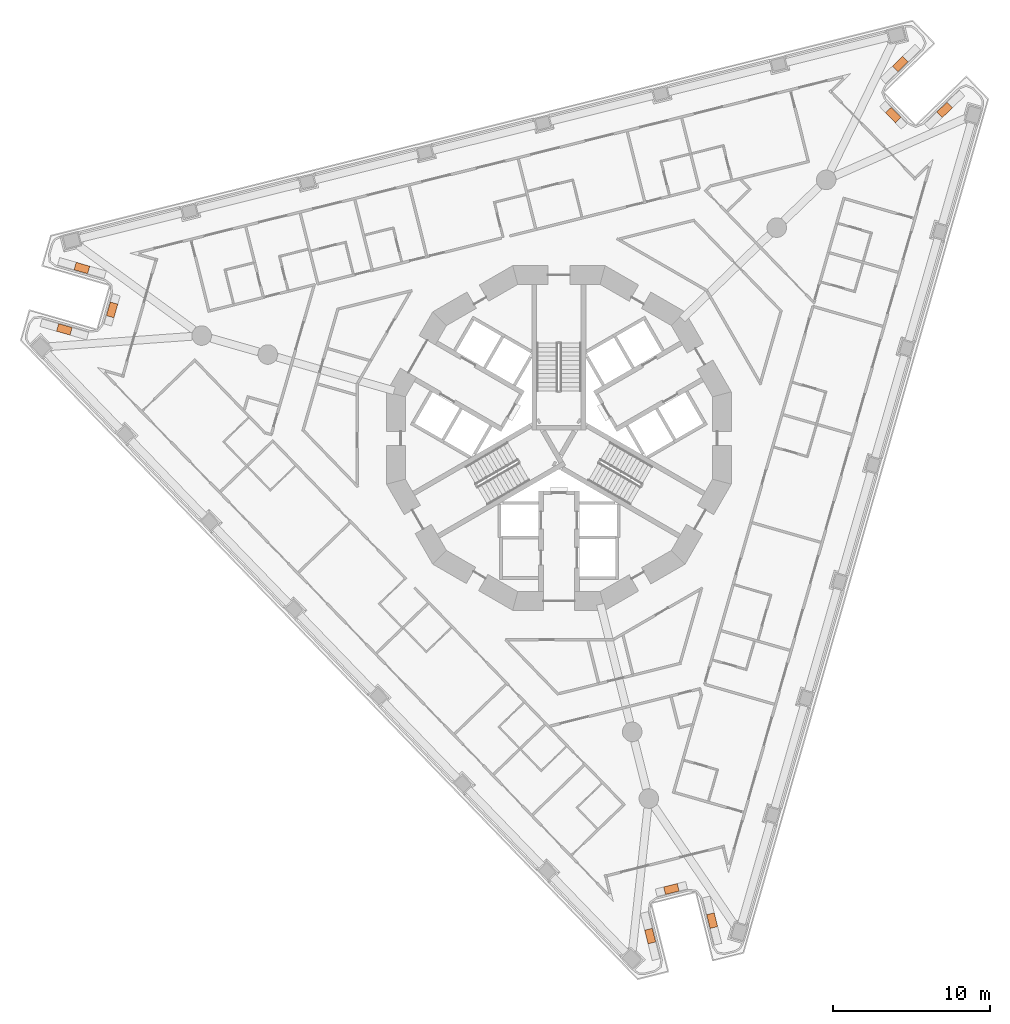
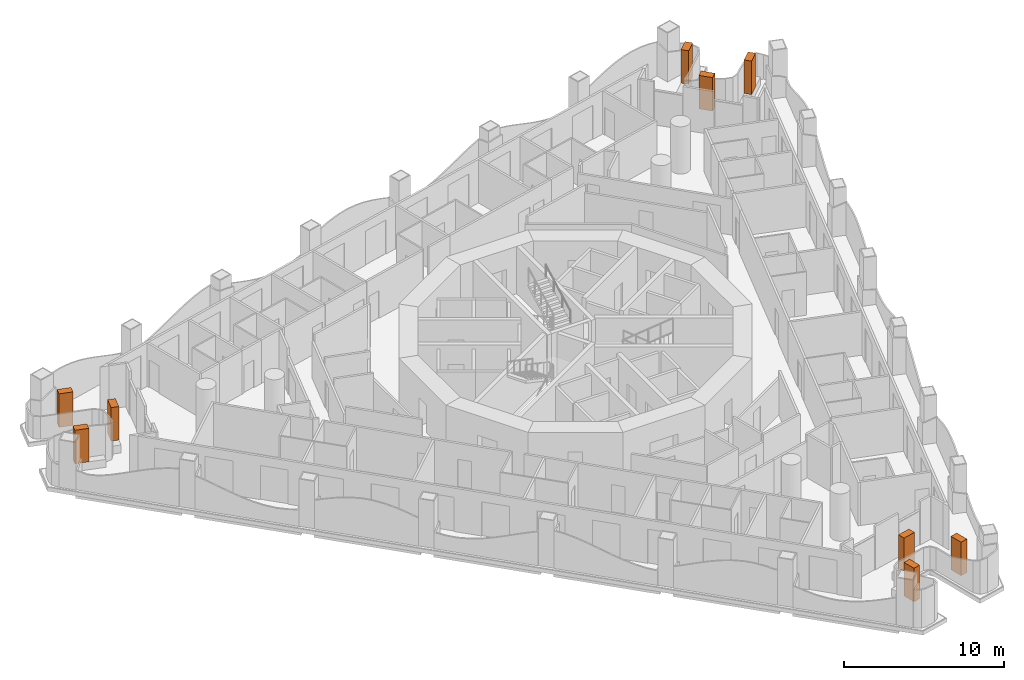
# One storey, part 18 of 18: 9 geographic elements.
"""IFC4 building model written with IfcOpenShell, lengths in metres."""

from ifc_helpers import new_model, si_unit, direction, frame, origin, origin_2d, place, context, subcontext, project, spatial, rectangle, extrude, element, save


model = new_model("IFC4")

# Units and contexts
model_context = context("Model", 3, precision=1e-05, world=origin(), true_north=direction((0.0, 1.0)))
body_context = subcontext(model_context, "Body", "Model", "MODEL_VIEW")
ifc_project = project(units=[si_unit("LENGTHUNIT", "METRE"), si_unit("AREAUNIT", "SQUARE_METRE"), si_unit("VOLUMEUNIT", "CUBIC_METRE"), si_unit("PLANEANGLEUNIT", "RADIAN"), si_unit("MASSUNIT", "GRAM", prefix="KILO")], contexts=[model_context])

# Site, building, storey
site_placement = place(None, origin())
site = spatial("IfcSite", under=ifc_project, at=site_placement, CompositionType="ELEMENT")
building_placement = place(site_placement, origin())
building = spatial("IfcBuilding", under=site, at=building_placement, Name="Trine Commons Tower", CompositionType="ELEMENT")
storey_placement = place(building_placement, frame((0.0, 0.0, 90.89990234375)))
storey = spatial("IfcBuildingStorey", under=building, at=storey_placement, Name="L22", CompositionType="ELEMENT", Elevation=90.89990234375)

# Geographic elements
for number, where, z_axis, x_axis, name in (
    (1, (48.400634765625, 69.438720703125, 0.60009765625), (0.0, 0.0, 1.0), (0.961260733777, -0.275640711252, 0.0), "Tree 1.1"),
    (2, (51.45263671875, 70.685791015625, 0.60009765625), (0.0, 0.0, 1.0), (0.275645744397, 0.961259290512, 0.0), "Tree 2.1"),
    (3, (49.525146484375, 73.360595703125, 0.60009765625), (0.0, 0.0, 1.0), (-0.961262658088, 0.275634000379, 0.0), "Tree 3.1"),
    (4, (101.808837890625, 86.396484375, 0.60009765625), (0.0, 0.0, 1.0), (-0.719332525854, -0.69466590333, 0.0), "Tree 4.1"),
    (5, (101.36279296875, 83.1298828125, 0.60009765625), (0.0, 0.0, 1.0), (0.694658370459, -0.719339800339, 0.0), "Tree 5.1"),
    (6, (104.64306640625, 83.461669921875, 0.60009765625), (0.0, 0.0, 1.0), (0.719362835687, 0.694634515866, 0.0), "Tree 6.1"),
    (7, (89.79052734375, 31.664794921875, 0.60009765625), (0.0, 0.0, 1.0), (-0.241908347692, 0.970299104048, 0.0), "Tree 7.1"),
    (8, (87.1845703125, 33.684326171875, 0.60009765625), (0.0, 0.0, 1.0), (-0.970297415186, -0.241915121652, 0.0), "Tree 8.1"),
    (9, (85.831787109375, 30.677734375, 0.60009765625), (0.0, 0.0, 1.0), (0.241908347692, -0.970299104048, 0.0), "Tree 9.1"),
):
    element("IfcGeographicElement", number, at=place(storey_placement, frame(where, z_axis=z_axis, x_axis=x_axis)), inside=storey, Name=name, ObjectType="TREE Tabebuia rosea", PredefinedType="USERDEFINED", context=body_context, shape_type="SweptSolid", body=[
        extrude(rectangle(XDim=0.89990234375, YDim=0.5, at=origin_2d()), origin(), (0.0, 0.0, 1.0), 2.550048828125),
    ])

save(model, "model.ifc")
